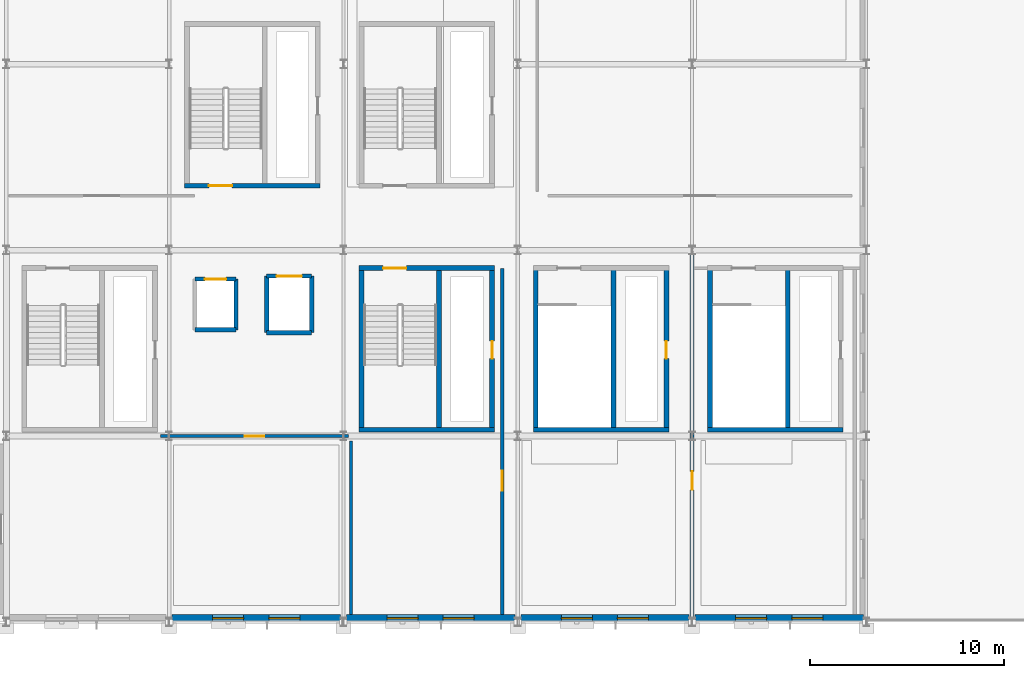
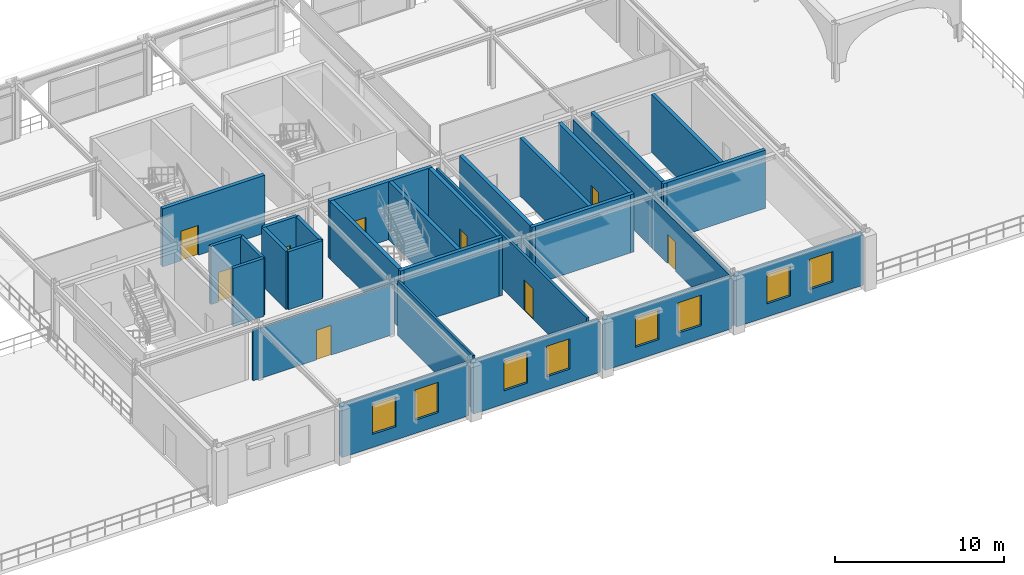
# One storey, part 49 of 81: 28 walls, 9 doors, 8 windows, 17 openings.
"""IFC4 building model written with IfcOpenShell, lengths in metres."""

from ifc_helpers import new_model, si_unit, direction, frame, frame_2d, origin, place, context, subcontext, project, spatial, rectangle, extrude, material, layer, layer_set, type_object, element, fill, save


model = new_model("IFC4")

# Units and contexts
model_context = context("Model", 3, precision=1e-05, world=origin(), true_north=direction((0.0, 1.0)))
body_context = subcontext(model_context, "Body", "Model", "MODEL_VIEW")
ifc_project = project(units=[si_unit("LENGTHUNIT", "METRE"), si_unit("AREAUNIT", "SQUARE_METRE"), si_unit("VOLUMEUNIT", "CUBIC_METRE"), si_unit("PLANEANGLEUNIT", "RADIAN"), si_unit("MASSUNIT", "GRAM", prefix="KILO")], contexts=[model_context])

# Site, building, storey
site_placement = place(None, origin())
site = spatial("IfcSite", under=ifc_project, at=site_placement, CompositionType="ELEMENT")
building_placement = place(site_placement, origin())
building = spatial("IfcBuilding", under=site, at=building_placement, Name="Myrtia Square Station", CompositionType="ELEMENT")
storey_placement = place(building_placement, frame((0.0, 0.0, 10.800048828125)))
storey = spatial("IfcBuildingStorey", under=building, at=storey_placement, Name="L02", CompositionType="ELEMENT", Elevation=10.800048828125)

# Wall
ifc_material_1 = material(Name="Concrete C35/45", Category="concrete")
ifc_layer_1 = layer(ifc_material_1, 0.25, Name="Concrete C35/45")
ifc_layer_set_1 = layer_set([ifc_layer_1], Name="Concrete C35/45")
wall_type_1 = type_object("IfcWallType", Name="WL-CORE-250", PredefinedType="SHEAR", material=ifc_layer_set_1)
wall_1_placement = place(storey_placement, frame((135.800048828125, 9.925048828125, 0.0), z_axis=(0.0, 0.0, 1.0), x_axis=(1.0, 0.0, 0.0)))
element("IfcWall", 1, at=wall_1_placement, inside=storey, type_object=wall_type_1, Name="Core K6 shear wall L02 S", PredefinedType="SHEAR", context=body_context, shape_type="SweptSolid", body=[
    extrude(rectangle(XDim=7.0, YDim=0.25, at=frame_2d((3.5, 0.0))), origin(), (0.0, 0.0, 1.0), 4.199951171875),
])

# Wall, opening, door
wall_2_placement = place(storey_placement, frame((135.800048828125, 18.27490234375, 0.0), z_axis=(0.0, 0.0, 1.0), x_axis=(1.0, 0.0, 0.0)))
wall_2 = element("IfcWall", 2, at=wall_2_placement, inside=storey, type_object=wall_type_1, Name="Core K6 shear wall L02 N", PredefinedType="SHEAR", context=body_context, shape_type="SweptSolid", body=[
    extrude(rectangle(XDim=7.0, YDim=0.25, at=frame_2d((3.5, 0.0))), origin(), (0.0, 0.0, 1.0), 4.199951171875),
])
opening_1_placement = place(wall_2_placement, frame((1.25, 0.0, 0.0)))
opening_1 = element("IfcOpeningElement", 3, at=opening_1_placement, cuts=wall_2, Name="Opening SD-067", PredefinedType="OPENING", context=body_context, shape_type="SweptSolid", body=[
    extrude(rectangle(XDim=1.199951171875, YDim=2.14990234375, at=frame_2d((0.60009765625, 1.074951171875))), frame((0.0, 0.139892578125, 0.0), z_axis=(0.0, -1.0, 0.0), x_axis=(1.0, 0.0, 0.0)), (0.0, 0.0, 1.0), 0.280029296875),
])
ifc_material_2 = material(Name="Dark bronze anodised aluminium", Category="aluminium")
door_type_1 = type_object("IfcDoorType", Name="DR-STAIR-1200x2150", OperationType="NOTDEFINED", PredefinedType="DOOR", material=ifc_material_2)
door_1_placement = place(opening_1_placement, frame((1.199951171875, 0.0, 0.0), z_axis=(0.0, 0.0, 1.0), x_axis=(-1.0, 0.0, 0.0)))
door_1 = element("IfcDoor", 4, at=door_1_placement, inside=storey, type_object=door_type_1, Name="Protected stair fire door K6 L02", OperationType="SINGLE_SWING_LEFT", OverallHeight=2.14990234375, OverallWidth=1.199951171875, PredefinedType="DOOR", context=body_context, shape_type="SweptSolid", body=[
    extrude(rectangle(XDim=1.199951171875, YDim=2.14990234375, at=frame_2d((0.60009765625, 1.074951171875))), frame((0.0, 0.02490234375, 0.0), z_axis=(0.0, -1.0, 0.0), x_axis=(1.0, 0.0, 0.0)), (0.0, 0.0, 1.0), 0.050048828125),
])
fill(opening_1, door_1)

# Wall
wall_3_placement = place(storey_placement, frame((135.925048828125, 9.800048828125, 0.0), z_axis=(0.0, 0.0, 1.0), x_axis=(0.0, 1.0, 0.0)))
element("IfcWall", 5, at=wall_3_placement, inside=storey, type_object=wall_type_1, Name="Core K6 shear wall L02 W", PredefinedType="SHEAR", context=body_context, shape_type="SweptSolid", body=[
    extrude(rectangle(XDim=8.599853515625, YDim=0.25, at=frame_2d((4.2998046875, 0.0))), origin(), (0.0, 0.0, 1.0), 4.199951171875),
])

# Wall, opening, door
wall_4_placement = place(storey_placement, frame((142.675048828125, 9.800048828125, 0.0), z_axis=(0.0, 0.0, 1.0), x_axis=(0.0, 1.0, 0.0)))
wall_4 = element("IfcWall", 6, at=wall_4_placement, inside=storey, type_object=wall_type_1, Name="Core K6 shear wall L02 E", PredefinedType="SHEAR", context=body_context, shape_type="SweptSolid", body=[
    extrude(rectangle(XDim=8.599853515625, YDim=0.25, at=frame_2d((4.2998046875, 0.0))), origin(), (0.0, 0.0, 1.0), 4.199951171875),
])
opening_2_placement = place(wall_4_placement, frame((3.800048828125, 0.0, 0.0)))
opening_2 = element("IfcOpeningElement", 7, at=opening_2_placement, cuts=wall_4, Name="Opening RD-068", PredefinedType="OPENING", context=body_context, shape_type="SweptSolid", body=[
    extrude(rectangle(XDim=0.89990234375, YDim=2.050048828125, at=frame_2d((0.449951171875, 1.02490234375))), frame((0.0, 0.139892578125, 0.0), z_axis=(0.0, -1.0, 0.0), x_axis=(1.0, 0.0, 0.0)), (0.0, 0.0, 1.0), 0.280029296875),
])
door_type_2 = type_object("IfcDoorType", Name="DR-RISER-900x2050", OperationType="NOTDEFINED", PredefinedType="DOOR", material=ifc_material_2)
door_2_placement = place(opening_2_placement, origin())
door_2 = element("IfcDoor", 8, at=door_2_placement, inside=storey, type_object=door_type_2, Name="Riser cupboard access door K6 L02", OperationType="SINGLE_SWING_RIGHT", OverallHeight=2.050048828125, OverallWidth=0.89990234375, PredefinedType="DOOR", context=body_context, shape_type="SweptSolid", body=[
    extrude(rectangle(XDim=0.89990234375, YDim=2.050048828125, at=frame_2d((0.449951171875, 1.02490234375))), frame((0.0, 0.02490234375, 0.0), z_axis=(0.0, -1.0, 0.0), x_axis=(1.0, 0.0, 0.0)), (0.0, 0.0, 1.0), 0.050048828125),
])
fill(opening_2, door_2)

# Wall
wall_5_placement = place(storey_placement, frame((139.93994140625, 10.0, 0.0), z_axis=(0.0, 0.0, 1.0), x_axis=(0.0, 1.0, 0.0)))
element("IfcWall", 9, at=wall_5_placement, inside=storey, type_object=wall_type_1, Name="Core K6 shear wall L02 D", PredefinedType="SHEAR", context=body_context, shape_type="SweptSolid", body=[
    extrude(rectangle(XDim=8.199951171875, YDim=0.25, at=frame_2d((4.10009765625, 0.0))), origin(), (0.0, 0.0, 1.0), 4.199951171875),
])

# Wall, opening, door
wall_6_placement = place(storey_placement, frame((126.800048828125, 22.52490234375, 0.0), z_axis=(0.0, 0.0, 1.0), x_axis=(1.0, 0.0, 0.0)))
wall_6 = element("IfcWall", 10, at=wall_6_placement, inside=storey, type_object=wall_type_1, Name="Core K10 shear wall L02 S", PredefinedType="SHEAR", context=body_context, shape_type="SweptSolid", body=[
    extrude(rectangle(XDim=7.0, YDim=0.25, at=frame_2d((3.5, 0.0))), origin(), (0.0, 0.0, 1.0), 4.199951171875),
])
opening_3_placement = place(wall_6_placement, frame((1.25, 0.0, 0.0)))
opening_3 = element("IfcOpeningElement", 11, at=opening_3_placement, cuts=wall_6, Name="Opening SD-087", PredefinedType="OPENING", context=body_context, shape_type="SweptSolid", body=[
    extrude(rectangle(XDim=1.199951171875, YDim=2.14990234375, at=frame_2d((0.60009765625, 1.074951171875))), frame((0.0, 0.139892578125, 0.0), z_axis=(0.0, -1.0, 0.0), x_axis=(1.0, 0.0, 0.0)), (0.0, 0.0, 1.0), 0.280029296875),
])
door_3_placement = place(opening_3_placement, origin())
door_3 = element("IfcDoor", 12, at=door_3_placement, inside=storey, type_object=door_type_1, Name="Protected stair fire door K10 L02", OperationType="SINGLE_SWING_LEFT", OverallHeight=2.14990234375, OverallWidth=1.199951171875, PredefinedType="DOOR", context=body_context, shape_type="SweptSolid", body=[
    extrude(rectangle(XDim=1.199951171875, YDim=2.14990234375, at=frame_2d((0.60009765625, 1.074951171875))), frame((0.0, 0.02490234375, 0.0), z_axis=(0.0, -1.0, 0.0), x_axis=(1.0, 0.0, 0.0)), (0.0, 0.0, 1.0), 0.050048828125),
])
fill(opening_3, door_3)

# Walls
wall_7_placement = place(storey_placement, frame((144.800048828125, 9.925048828125, 0.0), z_axis=(0.0, 0.0, 1.0), x_axis=(1.0, 0.0, 0.0)))
element("IfcWall", 13, at=wall_7_placement, inside=storey, type_object=wall_type_1, Name="Core K11 shear wall L02 S", PredefinedType="SHEAR", context=body_context, shape_type="SweptSolid", body=[
    extrude(rectangle(XDim=7.0, YDim=0.25, at=frame_2d((3.5, 0.0))), origin(), (0.0, 0.0, 1.0), 4.199951171875),
])
wall_8_placement = place(storey_placement, frame((144.925048828125, 9.800048828125, 0.0), z_axis=(0.0, 0.0, 1.0), x_axis=(0.0, 1.0, 0.0)))
element("IfcWall", 14, at=wall_8_placement, inside=storey, type_object=wall_type_1, Name="Core K11 shear wall L02 W", PredefinedType="SHEAR", context=body_context, shape_type="SweptSolid", body=[
    extrude(rectangle(XDim=8.599853515625, YDim=0.25, at=frame_2d((4.2998046875, 0.0))), origin(), (0.0, 0.0, 1.0), 4.199951171875),
])

# Wall, opening, door
wall_9_placement = place(storey_placement, frame((151.675048828125, 9.800048828125, 0.0), z_axis=(0.0, 0.0, 1.0), x_axis=(0.0, 1.0, 0.0)))
wall_9 = element("IfcWall", 15, at=wall_9_placement, inside=storey, type_object=wall_type_1, Name="Core K11 shear wall L02 E", PredefinedType="SHEAR", context=body_context, shape_type="SweptSolid", body=[
    extrude(rectangle(XDim=8.599853515625, YDim=0.25, at=frame_2d((4.2998046875, 0.0))), origin(), (0.0, 0.0, 1.0), 4.199951171875),
])
opening_4_placement = place(wall_9_placement, frame((3.800048828125, 0.0, 0.0)))
opening_4 = element("IfcOpeningElement", 16, at=opening_4_placement, cuts=wall_9, Name="Opening RD-098", PredefinedType="OPENING", context=body_context, shape_type="SweptSolid", body=[
    extrude(rectangle(XDim=0.89990234375, YDim=2.050048828125, at=frame_2d((0.449951171875, 1.02490234375))), frame((0.0, 0.139892578125, 0.0), z_axis=(0.0, -1.0, 0.0), x_axis=(1.0, 0.0, 0.0)), (0.0, 0.0, 1.0), 0.280029296875),
])
door_4_placement = place(opening_4_placement, origin())
door_4 = element("IfcDoor", 17, at=door_4_placement, inside=storey, type_object=door_type_2, Name="Riser cupboard access door K11 L02", OperationType="SINGLE_SWING_RIGHT", OverallHeight=2.050048828125, OverallWidth=0.89990234375, PredefinedType="DOOR", context=body_context, shape_type="SweptSolid", body=[
    extrude(rectangle(XDim=0.89990234375, YDim=2.050048828125, at=frame_2d((0.449951171875, 1.02490234375))), frame((0.0, 0.02490234375, 0.0), z_axis=(0.0, -1.0, 0.0), x_axis=(1.0, 0.0, 0.0)), (0.0, 0.0, 1.0), 0.050048828125),
])
fill(opening_4, door_4)

# Walls
wall_10_placement = place(storey_placement, frame((148.93994140625, 10.0, 0.0), z_axis=(0.0, 0.0, 1.0), x_axis=(0.0, 1.0, 0.0)))
element("IfcWall", 18, at=wall_10_placement, inside=storey, type_object=wall_type_1, Name="Core K11 shear wall L02 D", PredefinedType="SHEAR", context=body_context, shape_type="SweptSolid", body=[
    extrude(rectangle(XDim=8.199951171875, YDim=0.25, at=frame_2d((4.10009765625, 0.0))), origin(), (0.0, 0.0, 1.0), 4.199951171875),
])
wall_11_placement = place(storey_placement, frame((153.800048828125, 9.925048828125, 0.0), z_axis=(0.0, 0.0, 1.0), x_axis=(1.0, 0.0, 0.0)))
element("IfcWall", 19, at=wall_11_placement, inside=storey, type_object=wall_type_1, Name="Core K14 shear wall L02 S", PredefinedType="SHEAR", context=body_context, shape_type="SweptSolid", body=[
    extrude(rectangle(XDim=7.0, YDim=0.25, at=frame_2d((3.5, 0.0))), origin(), (0.0, 0.0, 1.0), 4.199951171875),
])
wall_12_placement = place(storey_placement, frame((153.925048828125, 9.800048828125, 0.0), z_axis=(0.0, 0.0, 1.0), x_axis=(0.0, 1.0, 0.0)))
element("IfcWall", 20, at=wall_12_placement, inside=storey, type_object=wall_type_1, Name="Core K14 shear wall L02 W", PredefinedType="SHEAR", context=body_context, shape_type="SweptSolid", body=[
    extrude(rectangle(XDim=8.599853515625, YDim=0.25, at=frame_2d((4.2998046875, 0.0))), origin(), (0.0, 0.0, 1.0), 4.199951171875),
])
wall_13_placement = place(storey_placement, frame((157.93994140625, 10.0, 0.0), z_axis=(0.0, 0.0, 1.0), x_axis=(0.0, 1.0, 0.0)))
element("IfcWall", 21, at=wall_13_placement, inside=storey, type_object=wall_type_1, Name="Core K14 shear wall L02 D", PredefinedType="SHEAR", context=body_context, shape_type="SweptSolid", body=[
    extrude(rectangle(XDim=8.199951171875, YDim=0.25, at=frame_2d((4.10009765625, 0.0))), origin(), (0.0, 0.0, 1.0), 4.199951171875),
])

# Wall, openings, windows
ifc_material_3 = material(Name="Cream lime stucco on clay brick masonry", Category="masonry")
ifc_layer_2 = layer(ifc_material_3, 0.360107421875, Name="Cream lime stucco on clay brick masonry")
ifc_layer_set_2 = layer_set([ifc_layer_2], Name="Cream lime stucco on clay brick masonry")
wall_type_2 = type_object("IfcWallType", Name="WL-EXT-STUCCO-360", PredefinedType="SOLIDWALL", material=ifc_layer_set_2)
wall_14_placement = place(storey_placement, frame((126.155029296875, 0.199951171875, 0.0), z_axis=(0.0, 0.0, 1.0), x_axis=(1.0, 0.0, 0.0)))
wall_14 = element("IfcWall", 22, at=wall_14_placement, inside=storey, type_object=wall_type_2, Name="Exterior envelope wall EW-L02-0055", PredefinedType="SOLIDWALL", context=body_context, shape_type="SweptSolid", body=[
    extrude(rectangle(XDim=8.68994140625, YDim=0.360107421875, at=frame_2d((4.344970703125, 0.0))), origin(), (0.0, 0.0, 1.0), 3.68994140625),
])
opening_5_placement = place(wall_14_placement, frame((2.096923828125, 0.0, 0.949951171875)))
opening_5 = element("IfcOpeningElement", 23, at=opening_5_placement, cuts=wall_14, Name="Opening WN-051", PredefinedType="OPENING", context=body_context, shape_type="SweptSolid", body=[
    extrude(rectangle(XDim=1.60009765625, YDim=2.199951171875, at=frame_2d((0.800048828125, 1.10009765625))), frame((0.0, 0.195068359375, 0.0), z_axis=(0.0, -1.0, 0.0), x_axis=(1.0, 0.0, 0.0)), (0.0, 0.0, 1.0), 0.39013671875),
])
opening_6_placement = place(wall_14_placement, frame((4.992919921875, 0.0, 0.949951171875)))
opening_6 = element("IfcOpeningElement", 24, at=opening_6_placement, cuts=wall_14, Name="Opening WN-052", PredefinedType="OPENING", context=body_context, shape_type="SweptSolid", body=[
    extrude(rectangle(XDim=1.60009765625, YDim=2.199951171875, at=frame_2d((0.800048828125, 1.10009765625))), frame((0.0, 0.195068359375, 0.0), z_axis=(0.0, -1.0, 0.0), x_axis=(1.0, 0.0, 0.0)), (0.0, 0.0, 1.0), 0.39013671875),
])
ifc_material_4 = material(Name="Tinted low-E solar control glass", Category="glass")
window_type = type_object("IfcWindowType", Name="WN-PAIR-1600x2200", PartitioningType="SINGLE_PANEL", PredefinedType="WINDOW", material=ifc_material_4)
window_1_placement = place(opening_5_placement, origin())
window_1 = element("IfcWindow", 25, at=window_1_placement, inside=storey, type_object=window_type, Name="Window WN-051", OverallHeight=2.199951171875, OverallWidth=1.60009765625, PartitioningType="SINGLE_PANEL", PredefinedType="WINDOW", context=body_context, shape_type="SweptSolid", body=[
    extrude(rectangle(XDim=1.60009765625, YDim=2.199951171875, at=frame_2d((0.800048828125, 1.10009765625))), frame((0.0, 0.030029296875, 0.0), z_axis=(0.0, -1.0, 0.0), x_axis=(1.0, 0.0, 0.0)), (0.0, 0.0, 1.0), 0.06005859375),
])
fill(opening_5, window_1)
window_2_placement = place(opening_6_placement, origin())
window_2 = element("IfcWindow", 26, at=window_2_placement, inside=storey, type_object=window_type, Name="Window WN-052", OverallHeight=2.199951171875, OverallWidth=1.60009765625, PartitioningType="SINGLE_PANEL", PredefinedType="WINDOW", context=body_context, shape_type="SweptSolid", body=[
    extrude(rectangle(XDim=1.60009765625, YDim=2.199951171875, at=frame_2d((0.800048828125, 1.10009765625))), frame((0.0, 0.030029296875, 0.0), z_axis=(0.0, -1.0, 0.0), x_axis=(1.0, 0.0, 0.0)), (0.0, 0.0, 1.0), 0.06005859375),
])
fill(opening_6, window_2)

wall_15_placement = place(storey_placement, frame((135.155029296875, 0.199951171875, 0.0), z_axis=(0.0, 0.0, 1.0), x_axis=(1.0, 0.0, 0.0)))
wall_15 = element("IfcWall", 27, at=wall_15_placement, inside=storey, type_object=wall_type_2, Name="Exterior envelope wall EW-L02-0056", PredefinedType="SOLIDWALL", context=body_context, shape_type="SweptSolid", body=[
    extrude(rectangle(XDim=8.68994140625, YDim=0.360107421875, at=frame_2d((4.344970703125, 0.0))), origin(), (0.0, 0.0, 1.0), 3.68994140625),
])
opening_7_placement = place(wall_15_placement, frame((2.096923828125, 0.0, 0.949951171875)))
opening_7 = element("IfcOpeningElement", 28, at=opening_7_placement, cuts=wall_15, Name="Opening WN-053", PredefinedType="OPENING", context=body_context, shape_type="SweptSolid", body=[
    extrude(rectangle(XDim=1.60009765625, YDim=2.199951171875, at=frame_2d((0.800048828125, 1.10009765625))), frame((0.0, 0.195068359375, 0.0), z_axis=(0.0, -1.0, 0.0), x_axis=(1.0, 0.0, 0.0)), (0.0, 0.0, 1.0), 0.39013671875),
])
opening_8_placement = place(wall_15_placement, frame((4.992919921875, 0.0, 0.949951171875)))
opening_8 = element("IfcOpeningElement", 29, at=opening_8_placement, cuts=wall_15, Name="Opening WN-054", PredefinedType="OPENING", context=body_context, shape_type="SweptSolid", body=[
    extrude(rectangle(XDim=1.60009765625, YDim=2.199951171875, at=frame_2d((0.800048828125, 1.10009765625))), frame((0.0, 0.195068359375, 0.0), z_axis=(0.0, -1.0, 0.0), x_axis=(1.0, 0.0, 0.0)), (0.0, 0.0, 1.0), 0.39013671875),
])
window_3_placement = place(opening_7_placement, origin())
window_3 = element("IfcWindow", 30, at=window_3_placement, inside=storey, type_object=window_type, Name="Window WN-053", OverallHeight=2.199951171875, OverallWidth=1.60009765625, PartitioningType="SINGLE_PANEL", PredefinedType="WINDOW", context=body_context, shape_type="SweptSolid", body=[
    extrude(rectangle(XDim=1.60009765625, YDim=2.199951171875, at=frame_2d((0.800048828125, 1.10009765625))), frame((0.0, 0.030029296875, 0.0), z_axis=(0.0, -1.0, 0.0), x_axis=(1.0, 0.0, 0.0)), (0.0, 0.0, 1.0), 0.06005859375),
])
fill(opening_7, window_3)
window_4_placement = place(opening_8_placement, origin())
window_4 = element("IfcWindow", 31, at=window_4_placement, inside=storey, type_object=window_type, Name="Window WN-054", OverallHeight=2.199951171875, OverallWidth=1.60009765625, PartitioningType="SINGLE_PANEL", PredefinedType="WINDOW", context=body_context, shape_type="SweptSolid", body=[
    extrude(rectangle(XDim=1.60009765625, YDim=2.199951171875, at=frame_2d((0.800048828125, 1.10009765625))), frame((0.0, 0.030029296875, 0.0), z_axis=(0.0, -1.0, 0.0), x_axis=(1.0, 0.0, 0.0)), (0.0, 0.0, 1.0), 0.06005859375),
])
fill(opening_8, window_4)

wall_16_placement = place(storey_placement, frame((144.155029296875, 0.199951171875, 0.0), z_axis=(0.0, 0.0, 1.0), x_axis=(1.0, 0.0, 0.0)))
wall_16 = element("IfcWall", 32, at=wall_16_placement, inside=storey, type_object=wall_type_2, Name="Exterior envelope wall EW-L02-0057", PredefinedType="SOLIDWALL", context=body_context, shape_type="SweptSolid", body=[
    extrude(rectangle(XDim=8.68994140625, YDim=0.360107421875, at=frame_2d((4.344970703125, 0.0))), origin(), (0.0, 0.0, 1.0), 3.6650390625),
])
opening_9_placement = place(wall_16_placement, frame((2.096923828125, 0.0, 0.949951171875)))
opening_9 = element("IfcOpeningElement", 33, at=opening_9_placement, cuts=wall_16, Name="Opening WN-055", PredefinedType="OPENING", context=body_context, shape_type="SweptSolid", body=[
    extrude(rectangle(XDim=1.60009765625, YDim=2.199951171875, at=frame_2d((0.800048828125, 1.10009765625))), frame((0.0, 0.195068359375, 0.0), z_axis=(0.0, -1.0, 0.0), x_axis=(1.0, 0.0, 0.0)), (0.0, 0.0, 1.0), 0.39013671875),
])
opening_10_placement = place(wall_16_placement, frame((4.992919921875, 0.0, 0.949951171875)))
opening_10 = element("IfcOpeningElement", 34, at=opening_10_placement, cuts=wall_16, Name="Opening WN-056", PredefinedType="OPENING", context=body_context, shape_type="SweptSolid", body=[
    extrude(rectangle(XDim=1.60009765625, YDim=2.199951171875, at=frame_2d((0.800048828125, 1.10009765625))), frame((0.0, 0.195068359375, 0.0), z_axis=(0.0, -1.0, 0.0), x_axis=(1.0, 0.0, 0.0)), (0.0, 0.0, 1.0), 0.39013671875),
])
window_5_placement = place(opening_9_placement, origin())
window_5 = element("IfcWindow", 35, at=window_5_placement, inside=storey, type_object=window_type, Name="Window WN-055", OverallHeight=2.199951171875, OverallWidth=1.60009765625, PartitioningType="SINGLE_PANEL", PredefinedType="WINDOW", context=body_context, shape_type="SweptSolid", body=[
    extrude(rectangle(XDim=1.60009765625, YDim=2.199951171875, at=frame_2d((0.800048828125, 1.10009765625))), frame((0.0, 0.030029296875, 0.0), z_axis=(0.0, -1.0, 0.0), x_axis=(1.0, 0.0, 0.0)), (0.0, 0.0, 1.0), 0.06005859375),
])
fill(opening_9, window_5)
window_6_placement = place(opening_10_placement, origin())
window_6 = element("IfcWindow", 36, at=window_6_placement, inside=storey, type_object=window_type, Name="Window WN-056", OverallHeight=2.199951171875, OverallWidth=1.60009765625, PartitioningType="SINGLE_PANEL", PredefinedType="WINDOW", context=body_context, shape_type="SweptSolid", body=[
    extrude(rectangle(XDim=1.60009765625, YDim=2.199951171875, at=frame_2d((0.800048828125, 1.10009765625))), frame((0.0, 0.030029296875, 0.0), z_axis=(0.0, -1.0, 0.0), x_axis=(1.0, 0.0, 0.0)), (0.0, 0.0, 1.0), 0.06005859375),
])
fill(opening_10, window_6)

wall_17_placement = place(storey_placement, frame((153.155029296875, 0.199951171875, 0.0), z_axis=(0.0, 0.0, 1.0), x_axis=(1.0, 0.0, 0.0)))
wall_17 = element("IfcWall", 37, at=wall_17_placement, inside=storey, type_object=wall_type_2, Name="Exterior envelope wall EW-L02-0058", PredefinedType="SOLIDWALL", context=body_context, shape_type="SweptSolid", body=[
    extrude(rectangle(XDim=8.68994140625, YDim=0.360107421875, at=frame_2d((4.344970703125, 0.0))), origin(), (0.0, 0.0, 1.0), 3.6650390625),
])
opening_11_placement = place(wall_17_placement, frame((2.096923828125, 0.0, 0.949951171875)))
opening_11 = element("IfcOpeningElement", 38, at=opening_11_placement, cuts=wall_17, Name="Opening WN-057", PredefinedType="OPENING", context=body_context, shape_type="SweptSolid", body=[
    extrude(rectangle(XDim=1.60009765625, YDim=2.199951171875, at=frame_2d((0.800048828125, 1.10009765625))), frame((0.0, 0.195068359375, 0.0), z_axis=(0.0, -1.0, 0.0), x_axis=(1.0, 0.0, 0.0)), (0.0, 0.0, 1.0), 0.39013671875),
])
opening_12_placement = place(wall_17_placement, frame((4.992919921875, 0.0, 0.949951171875)))
opening_12 = element("IfcOpeningElement", 39, at=opening_12_placement, cuts=wall_17, Name="Opening WN-058", PredefinedType="OPENING", context=body_context, shape_type="SweptSolid", body=[
    extrude(rectangle(XDim=1.60009765625, YDim=2.199951171875, at=frame_2d((0.800048828125, 1.10009765625))), frame((0.0, 0.195068359375, 0.0), z_axis=(0.0, -1.0, 0.0), x_axis=(1.0, 0.0, 0.0)), (0.0, 0.0, 1.0), 0.39013671875),
])
window_7_placement = place(opening_11_placement, origin())
window_7 = element("IfcWindow", 40, at=window_7_placement, inside=storey, type_object=window_type, Name="Window WN-057", OverallHeight=2.199951171875, OverallWidth=1.60009765625, PartitioningType="SINGLE_PANEL", PredefinedType="WINDOW", context=body_context, shape_type="SweptSolid", body=[
    extrude(rectangle(XDim=1.60009765625, YDim=2.199951171875, at=frame_2d((0.800048828125, 1.10009765625))), frame((0.0, 0.030029296875, 0.0), z_axis=(0.0, -1.0, 0.0), x_axis=(1.0, 0.0, 0.0)), (0.0, 0.0, 1.0), 0.06005859375),
])
fill(opening_11, window_7)
window_8_placement = place(opening_12_placement, origin())
window_8 = element("IfcWindow", 41, at=window_8_placement, inside=storey, type_object=window_type, Name="Window WN-058", OverallHeight=2.199951171875, OverallWidth=1.60009765625, PartitioningType="SINGLE_PANEL", PredefinedType="WINDOW", context=body_context, shape_type="SweptSolid", body=[
    extrude(rectangle(XDim=1.60009765625, YDim=2.199951171875, at=frame_2d((0.800048828125, 1.10009765625))), frame((0.0, 0.030029296875, 0.0), z_axis=(0.0, -1.0, 0.0), x_axis=(1.0, 0.0, 0.0)), (0.0, 0.0, 1.0), 0.06005859375),
])
fill(opening_12, window_8)

# Wall
ifc_layer_3 = layer(ifc_material_1, 0.219970703125, Name="Concrete C35/45")
ifc_layer_set_3 = layer_set([ifc_layer_3], Name="Concrete C35/45")
wall_type_3 = type_object("IfcWallType", Name="WL-LIFT-220", PredefinedType="SHEAR", material=ifc_layer_set_3)
wall_18_placement = place(storey_placement, frame((127.340087890625, 15.090087890625, 0.0), z_axis=(0.0, 0.0, 1.0), x_axis=(1.0, 0.0, 0.0)))
element("IfcWall", 42, at=wall_18_placement, inside=storey, type_object=wall_type_3, Name="Lift shaft wall PL-07 L02 -Y", PredefinedType="SHEAR", context=body_context, shape_type="SweptSolid", body=[
    extrude(rectangle(XDim=2.119873046875, YDim=0.219970703125, at=frame_2d((1.06005859375, 0.0))), origin(), (0.0, 0.0, 1.0), 4.199951171875),
])

# Wall, opening, door
wall_19_placement = place(storey_placement, frame((127.340087890625, 17.7099609375, 0.0), z_axis=(0.0, 0.0, 1.0), x_axis=(1.0, 0.0, 0.0)))
wall_19 = element("IfcWall", 43, at=wall_19_placement, inside=storey, type_object=wall_type_3, Name="Lift shaft wall PL-07 L02 +Y", PredefinedType="SHEAR", context=body_context, shape_type="SweptSolid", body=[
    extrude(rectangle(XDim=2.119873046875, YDim=0.219970703125, at=frame_2d((1.06005859375, 0.0))), origin(), (0.0, 0.0, 1.0), 4.199951171875),
])
opening_13_placement = place(wall_19_placement, frame((0.510009765625, 0.0, 0.0)))
opening_13 = element("IfcOpeningElement", 44, at=opening_13_placement, cuts=wall_19, Name="Opening LD-PL-07", PredefinedType="OPENING", context=body_context, shape_type="SweptSolid", body=[
    extrude(rectangle(XDim=1.10009765625, YDim=2.14990234375, at=frame_2d((0.550048828125, 1.074951171875))), frame((0.0, 0.125, 0.0), z_axis=(0.0, -1.0, 0.0), x_axis=(1.0, 0.0, 0.0)), (0.0, 0.0, 1.0), 0.25),
])
door_type_3 = type_object("IfcDoorType", Name="DR-LIFT-1100x2150", OperationType="NOTDEFINED", PredefinedType="DOOR", material=ifc_material_2)
door_5_placement = place(opening_13_placement, origin())
door_5 = element("IfcDoor", 45, at=door_5_placement, inside=storey, type_object=door_type_3, Name="Lift landing door PL-07 L02", OperationType="SLIDING_TO_RIGHT", OverallHeight=2.14990234375, OverallWidth=1.10009765625, PredefinedType="DOOR", context=body_context, shape_type="SweptSolid", body=[
    extrude(rectangle(XDim=1.10009765625, YDim=2.14990234375, at=frame_2d((0.550048828125, 1.074951171875))), frame((0.0, 0.02490234375, 0.0), z_axis=(0.0, -1.0, 0.0), x_axis=(1.0, 0.0, 0.0)), (0.0, 0.0, 1.0), 0.050048828125),
])
fill(opening_13, door_5)

# Walls
wall_20_placement = place(storey_placement, frame((129.4599609375, 15.090087890625, 0.0), z_axis=(0.0, 0.0, 1.0), x_axis=(0.0, 1.0, 0.0)))
element("IfcWall", 46, at=wall_20_placement, inside=storey, type_object=wall_type_3, Name="Lift shaft wall PL-07 L02 +X", PredefinedType="SHEAR", context=body_context, shape_type="SweptSolid", body=[
    extrude(rectangle(XDim=2.619873046875, YDim=0.219970703125, at=frame_2d((1.31005859375, 0.0))), origin(), (0.0, 0.0, 1.0), 4.199951171875),
])
wall_21_placement = place(storey_placement, frame((131.0400390625, 14.93994140625, 0.0), z_axis=(0.0, 0.0, 1.0), x_axis=(1.0, 0.0, 0.0)))
element("IfcWall", 47, at=wall_21_placement, inside=storey, type_object=wall_type_3, Name="Lift shaft wall GL-02 L02 -Y", PredefinedType="SHEAR", context=body_context, shape_type="SweptSolid", body=[
    extrude(rectangle(XDim=2.320068359375, YDim=0.219970703125, at=frame_2d((1.16015625, 0.0))), origin(), (0.0, 0.0, 1.0), 4.199951171875),
])

# Wall, opening, door
wall_22_placement = place(storey_placement, frame((131.0400390625, 17.860107421875, 0.0), z_axis=(0.0, 0.0, 1.0), x_axis=(1.0, 0.0, 0.0)))
wall_22 = element("IfcWall", 48, at=wall_22_placement, inside=storey, type_object=wall_type_3, Name="Lift shaft wall GL-02 L02 +Y", PredefinedType="SHEAR", context=body_context, shape_type="SweptSolid", body=[
    extrude(rectangle(XDim=2.320068359375, YDim=0.219970703125, at=frame_2d((1.16015625, 0.0))), origin(), (0.0, 0.0, 1.0), 4.199951171875),
])
opening_14_placement = place(wall_22_placement, frame((0.510009765625, 0.0, 0.0)))
opening_14 = element("IfcOpeningElement", 49, at=opening_14_placement, cuts=wall_22, Name="Opening LD-GL-02", PredefinedType="OPENING", context=body_context, shape_type="SweptSolid", body=[
    extrude(rectangle(XDim=1.300048828125, YDim=2.25, at=frame_2d((0.64990234375, 1.125))), frame((0.0, 0.125, 0.0), z_axis=(0.0, -1.0, 0.0), x_axis=(1.0, 0.0, 0.0)), (0.0, 0.0, 1.0), 0.25),
])
door_type_4 = type_object("IfcDoorType", Name="DR-LIFT-1300x2250", OperationType="NOTDEFINED", PredefinedType="DOOR", material=ifc_material_2)
door_6_placement = place(opening_14_placement, origin())
door_6 = element("IfcDoor", 50, at=door_6_placement, inside=storey, type_object=door_type_4, Name="Lift landing door GL-02 L02", OperationType="SLIDING_TO_LEFT", OverallHeight=2.25, OverallWidth=1.300048828125, PredefinedType="DOOR", context=body_context, shape_type="SweptSolid", body=[
    extrude(rectangle(XDim=1.300048828125, YDim=2.25, at=frame_2d((0.64990234375, 1.125))), frame((0.0, 0.02490234375, 0.0), z_axis=(0.0, -1.0, 0.0), x_axis=(1.0, 0.0, 0.0)), (0.0, 0.0, 1.0), 0.050048828125),
])
fill(opening_14, door_6)

# Walls
for number, where, z_axis, x_axis, name in (
    (51, (131.0400390625, 14.93994140625, 0.0), (0.0, 0.0, 1.0), (0.0, 1.0, 0.0), "Lift shaft wall GL-02 L02 -X"),
    (52, (133.360107421875, 14.93994140625, 0.0), (0.0, 0.0, 1.0), (0.0, 1.0, 0.0), "Lift shaft wall GL-02 L02 +X"),
):
    element("IfcWall", number, at=place(storey_placement, frame(where, z_axis=z_axis, x_axis=x_axis)), inside=storey, type_object=wall_type_3, Name=name, PredefinedType="SHEAR", context=body_context, shape_type="SweptSolid", body=[
        extrude(rectangle(XDim=2.920166015625, YDim=0.219970703125, at=frame_2d((1.4599609375, 0.0))), origin(), (0.0, 0.0, 1.0), 4.199951171875),
    ])

# Wall, opening, door
ifc_material_5 = material(Name="Gypsum plasterboard")
ifc_layer_4 = layer(ifc_material_5, 0.14990234375, Name="Gypsum plasterboard")
ifc_layer_set_4 = layer_set([ifc_layer_4], Name="Gypsum plasterboard")
wall_type_4 = type_object("IfcWallType", Name="WL-PART-150", PredefinedType="PARTITIONING", material=ifc_layer_set_4)
wall_23_placement = place(storey_placement, frame((125.56005859375, 9.60009765625, 0.0), z_axis=(0.0, 0.0, 1.0), x_axis=(1.0, 0.0, 0.0)))
wall_23 = element("IfcWall", 53, at=wall_23_placement, inside=storey, type_object=wall_type_4, Name="Interior partition wall L02-08", PredefinedType="PARTITIONING", context=body_context, shape_type="SweptSolid", body=[
    extrude(rectangle(XDim=9.68994140625, YDim=0.14990234375, at=frame_2d((4.844970703125, 0.0))), origin(), (0.0, 0.0, 1.0), 3.639892578125),
])
opening_15_placement = place(wall_23_placement, frame((4.344970703125, 0.0, 0.0)))
opening_15 = element("IfcOpeningElement", 54, at=opening_15_placement, cuts=wall_23, Name="Opening D-258", PredefinedType="OPENING", context=body_context, shape_type="SweptSolid", body=[
    extrude(rectangle(XDim=1.0, YDim=2.14990234375, at=frame_2d((0.5, 1.074951171875))), frame((0.0, 0.08984375, 0.0), z_axis=(0.0, -1.0, 0.0), x_axis=(1.0, 0.0, 0.0)), (0.0, 0.0, 1.0), 0.179931640625),
])
ifc_material_6 = material(Name="Acoustic European oak timber", Category="wood")
door_type_5 = type_object("IfcDoorType", Name="DR-ROOM-1000x2150", OperationType="NOTDEFINED", PredefinedType="DOOR", material=ifc_material_6)
door_7_placement = place(opening_15_placement, origin())
door_7 = element("IfcDoor", 55, at=door_7_placement, inside=storey, type_object=door_type_5, Name="Private Group Dining Salon door D-258", OperationType="SINGLE_SWING_RIGHT", OverallHeight=2.14990234375, OverallWidth=1.0, PredefinedType="DOOR", context=body_context, shape_type="SweptSolid", body=[
    extrude(rectangle(XDim=1.0, YDim=2.14990234375, at=frame_2d((0.5, 1.074951171875))), frame((0.0, 0.02490234375, 0.0), z_axis=(0.0, -1.0, 0.0), x_axis=(1.0, 0.0, 0.0)), (0.0, 0.0, 1.0), 0.050048828125),
])
fill(opening_15, door_7)

# Wall
wall_24_placement = place(storey_placement, frame((135.39990234375, 0.385009765625, 0.0), z_axis=(0.0, 0.0, 1.0), x_axis=(0.0, 1.0, 0.0)))
element("IfcWall", 56, at=wall_24_placement, inside=storey, type_object=wall_type_4, Name="Room divider partition L02-08", PredefinedType="PARTITIONING", context=body_context, shape_type="SweptSolid", body=[
    extrude(rectangle(XDim=8.965087890625, YDim=0.14990234375, at=frame_2d((4.482421875, 0.0))), origin(), (0.0, 0.0, 1.0), 3.93994140625),
])

# Wall, opening, door
ifc_layer_5 = layer(ifc_material_3, 0.175048828125, Name="Cream lime stucco on clay brick masonry")
ifc_layer_set_5 = layer_set([ifc_layer_5], Name="Cream lime stucco on clay brick masonry")
wall_type_5 = type_object("IfcWallType", Name="WL-PART-175", PredefinedType="PARTITIONING", material=ifc_layer_set_5)
wall_25_placement = place(storey_placement, frame((143.199951171875, 0.385009765625, 0.0), z_axis=(0.0, 0.0, 1.0), x_axis=(0.0, 1.0, 0.0)))
wall_25 = element("IfcWall", 57, at=wall_25_placement, inside=storey, type_object=wall_type_5, Name="Interior partition wall L02-09", PredefinedType="PARTITIONING", context=body_context, shape_type="SweptSolid", body=[
    extrude(rectangle(XDim=17.864990234375, YDim=0.175048828125, at=frame_2d((8.9326171875, 0.0))), origin(), (0.0, 0.0, 1.0), 3.93994140625),
])
opening_16_placement = place(wall_25_placement, frame((6.389892578125, 0.0, 0.0)))
opening_16 = element("IfcOpeningElement", 58, at=opening_16_placement, cuts=wall_25, Name="Opening D-259", PredefinedType="OPENING", context=body_context, shape_type="SweptSolid", body=[
    extrude(rectangle(XDim=1.050048828125, YDim=2.199951171875, at=frame_2d((0.52490234375, 1.10009765625))), frame((0.0, 0.1025390625, 0.0), z_axis=(0.0, -1.0, 0.0), x_axis=(1.0, 0.0, 0.0)), (0.0, 0.0, 1.0), 0.205078125),
])
door_type_6 = type_object("IfcDoorType", Name="DR-ROOM-1050x2200", OperationType="NOTDEFINED", PredefinedType="DOOR", material=ifc_material_6)
door_8_placement = place(opening_16_placement, origin())
door_8 = element("IfcDoor", 59, at=door_8_placement, inside=storey, type_object=door_type_6, Name="Dining Culinary Preparation Kitchen door D-259", OperationType="SINGLE_SWING_LEFT", OverallHeight=2.199951171875, OverallWidth=1.050048828125, PredefinedType="DOOR", context=body_context, shape_type="SweptSolid", body=[
    extrude(rectangle(XDim=1.050048828125, YDim=2.199951171875, at=frame_2d((0.52490234375, 1.10009765625))), frame((0.0, 0.02490234375, 0.0), z_axis=(0.0, -1.0, 0.0), x_axis=(1.0, 0.0, 0.0)), (0.0, 0.0, 1.0), 0.050048828125),
])
fill(opening_16, door_8)

ifc_layer_6 = layer(ifc_material_3, 0.199951171875, Name="Cream lime stucco on clay brick masonry")
ifc_layer_set_6 = layer_set([ifc_layer_6], Name="Cream lime stucco on clay brick masonry")
wall_type_6 = type_object("IfcWallType", Name="WL-PART-200", PredefinedType="PARTITIONING", material=ifc_layer_set_6)
wall_26_placement = place(storey_placement, frame((153.0, 0.22509765625, 0.0), z_axis=(0.0, 0.0, 1.0), x_axis=(0.0, 1.0, 0.0)))
wall_26 = element("IfcWall", 60, at=wall_26_placement, inside=storey, type_object=wall_type_6, Name="Interior partition wall L02-10", PredefinedType="PARTITIONING", context=body_context, shape_type="SweptSolid", body=[
    extrude(rectangle(XDim=18.75, YDim=0.199951171875, at=frame_2d((9.375, 0.0))), origin(), (0.0, 0.0, 1.0), 3.614990234375),
])
opening_17_placement = place(wall_26_placement, frame((6.60009765625, 0.0, 0.0)))
opening_17 = element("IfcOpeningElement", 61, at=opening_17_placement, cuts=wall_26, Name="Opening D-260", PredefinedType="OPENING", context=body_context, shape_type="SweptSolid", body=[
    extrude(rectangle(XDim=0.949951171875, YDim=2.10009765625, at=frame_2d((0.47509765625, 1.050048828125))), frame((0.0, 0.114990234375, 0.0), z_axis=(0.0, -1.0, 0.0), x_axis=(1.0, 0.0, 0.0)), (0.0, 0.0, 1.0), 0.22998046875),
])
door_type_7 = type_object("IfcDoorType", Name="DR-WC-950x2100", OperationType="NOTDEFINED", PredefinedType="DOOR", material=ifc_material_6)
door_9_placement = place(opening_17_placement, origin())
door_9 = element("IfcDoor", 62, at=door_9_placement, inside=storey, type_object=door_type_7, Name="Dining Floor Public Sanitary and Accessible WC door D-260", OperationType="SINGLE_SWING_RIGHT", OverallHeight=2.10009765625, OverallWidth=0.949951171875, PredefinedType="DOOR", context=body_context, shape_type="SweptSolid", body=[
    extrude(rectangle(XDim=0.949951171875, YDim=2.10009765625, at=frame_2d((0.47509765625, 1.050048828125))), frame((0.0, 0.02490234375, 0.0), z_axis=(0.0, -1.0, 0.0), x_axis=(1.0, 0.0, 0.0)), (0.0, 0.0, 1.0), 0.050048828125),
])
fill(opening_17, door_9)

save(model, "model.ifc")
